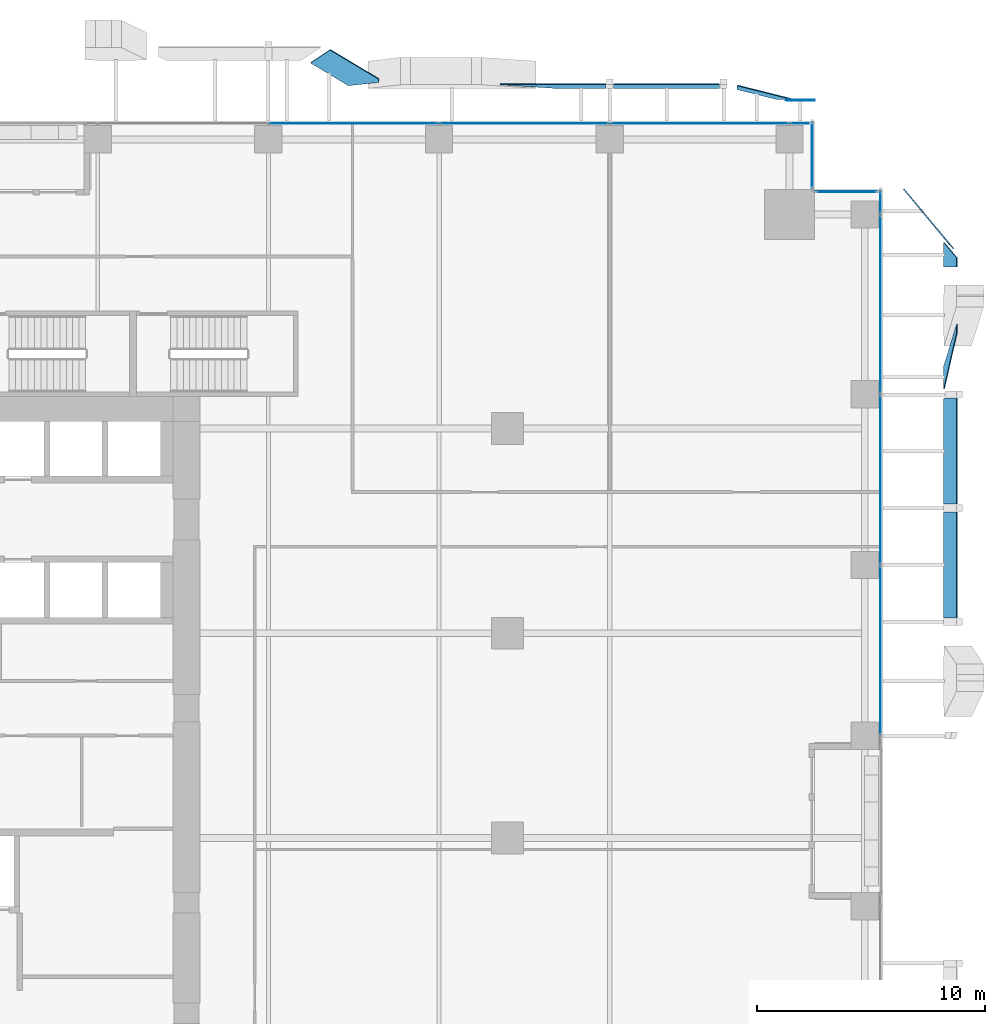
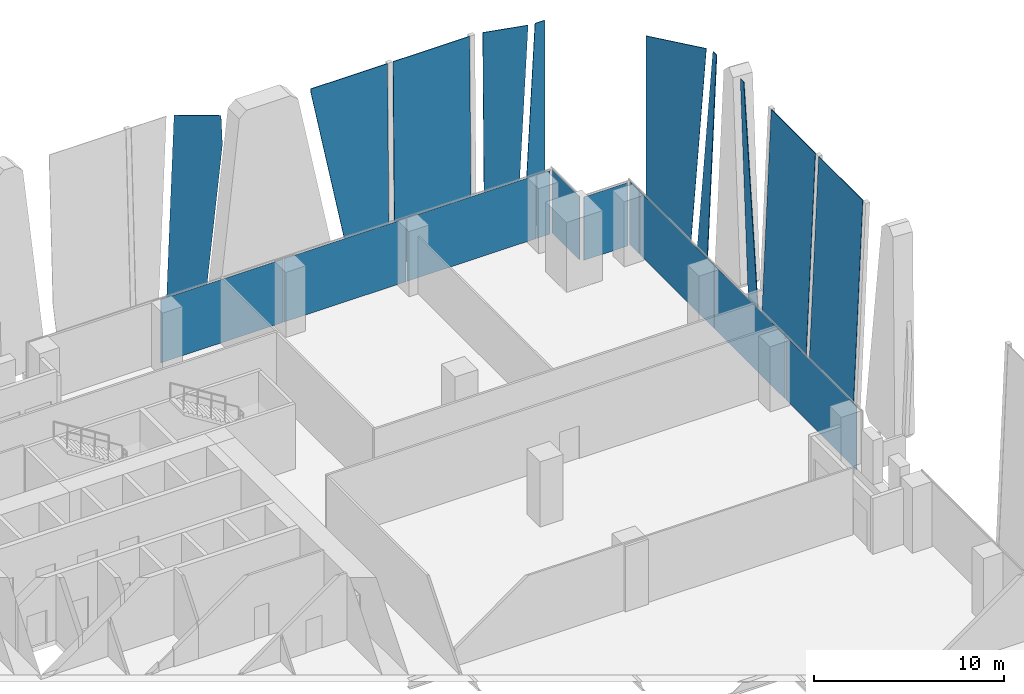
# One storey, part 25 of 34: 20 plates, 4 elements without a shape of their own.
"""IFC4 building model written with IfcOpenShell, lengths in metres."""

from ifc_helpers import new_model, si_unit, direction, frame, origin, origin_2d, place, context, subcontext, project, spatial, polyline, rectangle, outline, extrude, source, transform, mapped, material, layer, layer_set, type_object, element, aggregate, save


model = new_model("IFC4")

# Units and contexts
model_context = context("Model", 3, precision=1e-05, world=origin(), true_north=direction((0.0, 1.0)))
body_context = subcontext(model_context, "Body", "Model", "MODEL_VIEW")
ifc_project = project(units=[si_unit("LENGTHUNIT", "METRE"), si_unit("AREAUNIT", "SQUARE_METRE"), si_unit("VOLUMEUNIT", "CUBIC_METRE"), si_unit("PLANEANGLEUNIT", "RADIAN"), si_unit("MASSUNIT", "GRAM", prefix="KILO")], contexts=[model_context])

# Site, building, storey
site_placement = place(None, origin())
site = spatial("IfcSite", under=ifc_project, at=site_placement, CompositionType="ELEMENT")
building_placement = place(site_placement, origin())
building = spatial("IfcBuilding", under=site, at=building_placement, Name="Khomas Fold Tower", CompositionType="ELEMENT")
storey_placement = place(building_placement, frame((0.0, 0.0, 73.5)))
storey = spatial("IfcBuildingStorey", under=building, at=storey_placement, Name="L15", CompositionType="ELEMENT", Elevation=73.5)

# Plates
ifc_material_1 = material(Name="Clear laminated glass", Category="glass")
ifc_layer_1 = layer(ifc_material_1, 0.0400390625)
ifc_layer_set_1 = layer_set([ifc_layer_1], Name="Clear laminated glass")
plate_type_1 = type_object("IfcPlateType", Name="SK-Clear laminated glass leaf", PredefinedType="SHEET", material=ifc_layer_set_1)
plate_1_placement = place(storey_placement, frame((57.245361328125, 44.732177734375, 13.050048828125), z_axis=(-0.99904235518, 0.0, 0.043753543365), x_axis=(0.0, 1.0, 0.0)))
element("IfcPlate", 1, at=plate_1_placement, inside=storey, type_object=plate_type_1, Name="OUTER SKIN glass L15 EG106-7", PredefinedType="SHEET", context=body_context, shape_type="SweptSolid", body=[
    extrude(outline(polyline([(0.0, 0.0), (0.358154296875, 0.0), (-1.481689453125, 13.062558119247583), (-2.506591796875, 13.062558119247583), (0.0, 0.0)])), origin(), (0.0, 0.0, -1.0), 0.0400390625),
])
plate_2_placement = place(storey_placement, frame((57.245361328125, 36.830078125, 13.050048828125), z_axis=(-0.99904235518, 0.0, 0.043753543365), x_axis=(-0.043753543365, 0.0, -0.99904235518)))
element("IfcPlate", 2, at=plate_2_placement, inside=storey, type_object=plate_type_1, Name="OUTER SKIN glass L15 EG104-9", PredefinedType="SHEET", context=body_context, shape_type="SweptSolid", body=[
    extrude(outline(polyline([(0.0, 0.0), (13.062558119247587, 0.0), (13.062558119247587, 4.66015625), (0.0, 4.66015625), (0.0, 0.0)])), origin(), (0.0, 0.0, -1.0), 0.0400390625),
])
plate_3_placement = place(storey_placement, frame((57.245361328125, 41.830078125, 13.050048828125), z_axis=(-0.999042355187, 1.91915e-07, 0.043753543193), x_axis=(-0.043753543193, 0.0, -0.999042355187)))
element("IfcPlate", 3, at=plate_3_placement, inside=storey, type_object=plate_type_1, Name="OUTER SKIN glass L15 EG105-11", PredefinedType="SHEET", context=body_context, shape_type="SweptSolid", body=[
    extrude(outline(polyline([(0.0, 0.0), (13.001220003982175, -1.3234889800848443e-23), (13.062558119247585, 0.011718750000344684), (13.062558119247463, 4.660156250000259), (-1.2289111901465893e-13, 4.660156249999915), (0.0, 0.0)])), origin(), (0.0, 0.0, -1.0), 0.0400390625),
])
plate_4_placement = place(storey_placement, frame((57.245361328125, 47.60009765625, 13.050048828125), z_axis=(-0.99904235518, 0.0, 0.043753543365), x_axis=(0.0, 1.0, 0.0)))
element("IfcPlate", 4, at=plate_4_placement, inside=storey, type_object=plate_type_1, Name="OUTER SKIN glass L15 EG107-13", PredefinedType="SHEET", context=body_context, shape_type="SweptSolid", body=[
    extrude(outline(polyline([(0.0, 0.0), (0.38525390625, 0.0), (1.071044921875, 13.062558119247587), (0.0, 13.062558119247587), (0.0, 0.0)])), origin(), (0.0, 0.0, -1.0), 0.0400390625),
])
plate_5_placement = place(storey_placement, frame((56.5068359375, 49.07177734375, 0.0), z_axis=(-0.768204357112, -0.640204706101, 2.93534e-07), x_axis=(0.04369314373, -0.052428497041, 0.997668362678)))
element("IfcPlate", 5, at=plate_5_placement, inside=storey, type_object=plate_type_1, Name="OUTER SKIN glass L15 EG107-14", PredefinedType="SHEET", context=body_context, shape_type="SweptSolid", body=[
    extrude(outline(polyline([(0.0, 0.0), (13.080547921850151, 0.0), (12.848315050922533, 3.3948273822806203), (-0.17130579630365056, 2.5041830026849468), (0.0, 0.0)])), origin(), (0.0, 0.0, -1.0), 0.0400390625),
])
plate_6_placement = place(storey_placement, frame((29.7041015625, 57.125, 13.050048828125), z_axis=(-0.513177443609, -0.855322391691, 0.071221609376), x_axis=(0.857500139039, -0.514483733012, 3.82245e-06)))
element("IfcPlate", 6, at=plate_6_placement, inside=storey, type_object=plate_type_1, Name="OUTER SKIN glass L15 NG103-9", PredefinedType="SHEET", context=body_context, shape_type="SweptSolid", body=[
    extrude(outline(polyline([(0.0, 0.0), (2.47919292773532, 1.3877787807814457e-17), (2.5556803942300905, -1.7884859294056452), (1.5025175527885337, -13.08327484602667), (-0.4420821267812029, -13.083265489982715), (0.0, 0.0)])), origin(), (0.0, 0.0, -1.0), 0.0400390625),
])
plate_7_placement = place(storey_placement, frame((37.169921875, 55.60009765625, 12.786376953125), z_axis=(-6.529374e-06, -0.999913789306, 0.013130647884), x_axis=(1.102e-09, 0.013130647885, 0.999913789327)))
element("IfcPlate", 7, at=plate_7_placement, inside=storey, type_object=plate_type_1, Name="OUTER SKIN glass L15 NG105-10", PredefinedType="SHEET", context=body_context, shape_type="SweptSolid", body=[
    extrude(outline(polyline([(0.0, 0.0), (0.26369402381432216, 0.0), (0.2636940289501962, -4.660156249900663), (-12.787480164337676, -4.660156264390864), (-12.787480166714309, -2.5036621238118326), (0.0, 0.0)])), origin(), (0.0, 0.0, -1.0), 0.0400390625),
])
plate_8_placement = place(storey_placement, frame((46.830078125, 55.603515625, 13.050048828125), z_axis=(0.0, -0.999913772879, 0.013131900334), x_axis=(0.0, -0.013131900334, -0.999913772879)))
element("IfcPlate", 8, at=plate_8_placement, inside=storey, type_object=plate_type_1, Name="OUTER SKIN glass L15 NG106-12", PredefinedType="SHEET", context=body_context, shape_type="SweptSolid", body=[
    extrude(outline(polyline([(0.0, 0.0), (13.051174193298111, 0.0), (13.051174193298111, -4.660156249999999), (0.0, -4.660156249999999), (0.0, 0.0)])), origin(), (0.0, 0.0, -1.0), 0.0400390625),
])
plate_9_placement = place(storey_placement, frame((49.728759765625, 54.93994140625, 0.0), z_axis=(0.0, 1.0, 0.0), x_axis=(0.052478427046, 0.0, 0.998622057985)))
element("IfcPlate", 9, at=plate_9_placement, inside=storey, type_object=plate_type_1, Name="OUTER SKIN glass L15 NG107-14", PredefinedType="SHEET", context=body_context, shape_type="SweptSolid", body=[
    extrude(outline(polyline([(0.0, 0.0), (13.068055851333002, 0.0), (13.098779305448211, 0.584642503674011), (0.06671268789737123, 1.2694885390452775), (0.0, 0.0)])), origin(), (0.0, 0.0, -1.0), 0.0400390625),
])
plate_10_placement = place(storey_placement, frame((47.60009765625, 55.553466796875, 13.050048828125), z_axis=(-0.242556293773, -0.970053635989, 0.012743141467), x_axis=(0.970132408652, -0.242575987441, 2.26931e-07)))
element("IfcPlate", 10, at=plate_10_placement, inside=storey, type_object=plate_type_1, Name="OUTER SKIN glass L15 NG107-15", PredefinedType="SHEET", context=body_context, shape_type="SweptSolid", body=[
    extrude(outline(polyline([(0.0, 0.0), (2.488121817699387, 8.673617379884035e-19), (1.8228107664191815, -13.051108954285834), (0.041571341075046536, -13.051107985356975), (0.0, 0.0)])), origin(), (0.0, 0.0, -1.0), 0.0400390625),
])

# Curtain wall, plate
ifc_material_2 = material(Name="Aluminium framed double glazing", Category="aluminium")
curtain_wall_type = type_object("IfcCurtainWallType", Name="SK-Unitised clear-glass wall, growing floors CW1", PredefinedType="NOTDEFINED", material=ifc_material_2)
curtain_wall_1_placement = place(storey_placement, origin())
curtain_wall_1 = element("IfcCurtainWall", 11, at=curtain_wall_1_placement, inside=storey, type_object=curtain_wall_type, Name="CW1 run L15 06-0", PredefinedType="NOTDEFINED")
ifc_material_3 = material(Name="Clear double glazed unit")
ifc_layer_2 = layer(ifc_material_3, 0.031982421875)
ifc_layer_set_2 = layer_set([ifc_layer_2], Name="Clear double glazed unit")
plate_type_2 = type_object("IfcPlateType", Name="SK-Unitised clear-glass wall, growing floors glass panel CW1-P", PredefinedType="CURTAIN_PANEL", material=ifc_layer_set_2)
shared_shape_1 = source(origin(), body_context, "Body", "SweptSolid", [
    extrude(rectangle(XDim=0.81005859375, YDim=0.031982421875, at=origin_2d()), origin(), (0.0, 0.0, 1.0), 4.080078125),
])
plate_11_placement = place(storey_placement, frame((50.3349609375, 53.89990234375, 0.0), z_axis=(0.0, 0.0, 1.0), x_axis=(-1.0, 0.0, 0.0)))
plate_11 = element("IfcPlate", 12, at=plate_11_placement, type_object=plate_type_2, Name="CW1 glass panel 1", PredefinedType="CURTAIN_PANEL", context=body_context, shape_type="MappedRepresentation", body=[
    mapped(shared_shape_1, transform((0.0, 0.0, 0.0))),
])

curtain_wall_2_placement = place(storey_placement, origin())
curtain_wall_2 = element("IfcCurtainWall", 13, at=curtain_wall_2_placement, inside=storey, type_object=curtain_wall_type, Name="CW1 run L15 03-1", PredefinedType="NOTDEFINED")
shared_shape_2 = source(origin(), body_context, "Body", "SweptSolid", [
    extrude(rectangle(XDim=7.840087890625, YDim=0.031982421875, at=origin_2d()), origin(), (0.0, 0.0, 1.0), 4.080078125),
])
plate_12_placement = place(storey_placement, frame((53.89990234375, 45.949951171875, 0.0), z_axis=(0.0, 0.0, 1.0), x_axis=(0.0, 1.0, 0.0)))
plate_12 = element("IfcPlate", 14, at=plate_12_placement, type_object=plate_type_2, Name="CW1 glass panel 4", PredefinedType="CURTAIN_PANEL", context=body_context, shape_type="MappedRepresentation", body=[
    mapped(shared_shape_2, transform((0.0, 0.0, 0.0))),
])

# Plate
plate_13_placement = place(storey_placement, frame((45.949951171875, 53.89990234375, 0.0), z_axis=(0.0, 0.0, 1.0), x_axis=(-1.0, 0.0, 0.0)))
plate_13 = element("IfcPlate", 15, at=plate_13_placement, type_object=plate_type_2, Name="CW1 glass panel 2", PredefinedType="CURTAIN_PANEL", context=body_context, shape_type="MappedRepresentation", body=[
    mapped(shared_shape_2, transform((0.0, 0.0, 0.0))),
])

shared_shape_3 = source(origin(), body_context, "Body", "SweptSolid", [
    extrude(rectangle(XDim=7.43994140625, YDim=0.031982421875, at=origin_2d()), origin(), (0.0, 0.0, 1.0), 4.080078125),
])
plate_14_placement = place(storey_placement, frame((53.89990234375, 30.75, 0.0), z_axis=(0.0, 0.0, 1.0), x_axis=(0.0, 1.0, 0.0)))
plate_14 = element("IfcPlate", 16, at=plate_14_placement, type_object=plate_type_2, Name="CW1 glass panel 2", PredefinedType="CURTAIN_PANEL", context=body_context, shape_type="MappedRepresentation", body=[
    mapped(shared_shape_3, transform((0.0, 0.0, 0.0))),
])

plate_15_placement = place(storey_placement, frame((53.89990234375, 38.25, 0.0), z_axis=(0.0, 0.0, 1.0), x_axis=(0.0, 1.0, 0.0)))
plate_15 = element("IfcPlate", 17, at=plate_15_placement, type_object=plate_type_2, Name="CW1 glass panel 3", PredefinedType="CURTAIN_PANEL", context=body_context, shape_type="MappedRepresentation", body=[
    mapped(shared_shape_3, transform((0.0, 0.0, 0.0))),
])

plate_16_placement = place(storey_placement, frame((38.25, 53.89990234375, 0.0), z_axis=(0.0, 0.0, 1.0), x_axis=(-1.0, 0.0, 0.0)))
plate_16 = element("IfcPlate", 18, at=plate_16_placement, type_object=plate_type_2, Name="CW1 glass panel 3", PredefinedType="CURTAIN_PANEL", context=body_context, shape_type="MappedRepresentation", body=[
    mapped(shared_shape_3, transform((0.0, 0.0, 0.0))),
])

plate_17_placement = place(storey_placement, frame((30.75, 53.89990234375, 0.0), z_axis=(0.0, 0.0, 1.0), x_axis=(-1.0, 0.0, 0.0)))
plate_17 = element("IfcPlate", 19, at=plate_17_placement, type_object=plate_type_2, Name="CW1 glass panel 4", PredefinedType="CURTAIN_PANEL", context=body_context, shape_type="MappedRepresentation", body=[
    mapped(shared_shape_3, transform((0.0, 0.0, 0.0))),
])

aggregate(curtain_wall_1, [plate_11, plate_13, plate_16, plate_17])

shared_shape_4 = source(origin(), body_context, "Body", "SweptSolid", [
    extrude(rectangle(XDim=1.010009765625, YDim=0.031982421875, at=origin_2d()), origin(), (0.0, 0.0, 1.0), 4.080078125),
])
plate_18_placement = place(storey_placement, frame((53.89990234375, 50.43505859375, 0.0), z_axis=(0.0, 0.0, 1.0), x_axis=(0.0, 1.0, 0.0)))
plate_18 = element("IfcPlate", 20, at=plate_18_placement, type_object=plate_type_2, Name="CW1 glass panel 5", PredefinedType="CURTAIN_PANEL", context=body_context, shape_type="MappedRepresentation", body=[
    mapped(shared_shape_4, transform((0.0, 0.0, 0.0))),
])

aggregate(curtain_wall_2, [plate_14, plate_15, plate_12, plate_18])

# Curtain wall, plate
curtain_wall_3_placement = place(storey_placement, origin())
curtain_wall_3 = element("IfcCurtainWall", 21, at=curtain_wall_3_placement, inside=storey, type_object=curtain_wall_type, Name="CW1 corner return L15 04", PredefinedType="NOTDEFINED")
shared_shape_5 = source(origin(), body_context, "Body", "SweptSolid", [
    extrude(rectangle(XDim=2.679931640625, YDim=0.031982421875, at=origin_2d()), origin(), (0.0, 0.0, 1.0), 4.080078125),
])
plate_19_placement = place(storey_placement, frame((52.39990234375, 50.89990234375, 0.0), z_axis=(0.0, 0.0, 1.0), x_axis=(-1.0, 0.0, 0.0)))
plate_19 = element("IfcPlate", 22, at=plate_19_placement, type_object=plate_type_2, Name="CW1 glass panel 1", PredefinedType="CURTAIN_PANEL", context=body_context, shape_type="MappedRepresentation", body=[
    mapped(shared_shape_5, transform((0.0, 0.0, 0.0))),
])
aggregate(curtain_wall_3, [plate_19])

curtain_wall_4_placement = place(storey_placement, origin())
curtain_wall_4 = element("IfcCurtainWall", 23, at=curtain_wall_4_placement, inside=storey, type_object=curtain_wall_type, Name="CW1 corner return L15 05", PredefinedType="NOTDEFINED")
shared_shape_6 = source(origin(), body_context, "Body", "SweptSolid", [
    extrude(rectangle(XDim=2.8798828125, YDim=0.031982421875, at=origin_2d()), origin(), (0.0, 0.0, 1.0), 4.080078125),
])
plate_20_placement = place(storey_placement, frame((50.89990234375, 52.5, 0.0), z_axis=(0.0, 0.0, 1.0), x_axis=(0.0, 1.0, 0.0)))
plate_20 = element("IfcPlate", 24, at=plate_20_placement, type_object=plate_type_2, Name="CW1 glass panel 1", PredefinedType="CURTAIN_PANEL", context=body_context, shape_type="MappedRepresentation", body=[
    mapped(shared_shape_6, transform((0.0, 0.0, 0.0))),
])
aggregate(curtain_wall_4, [plate_20])

save(model, "model.ifc")
